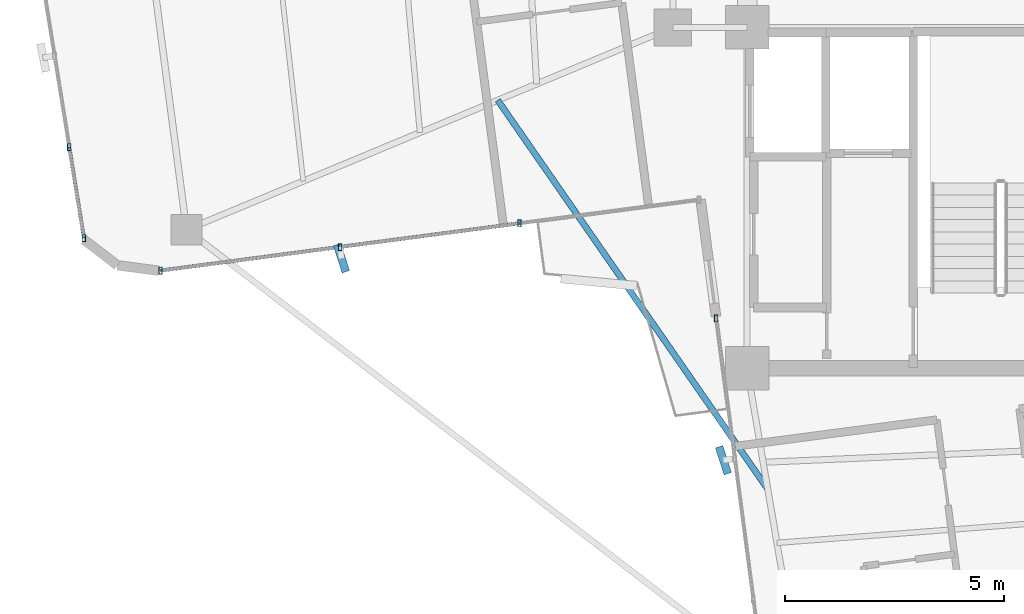
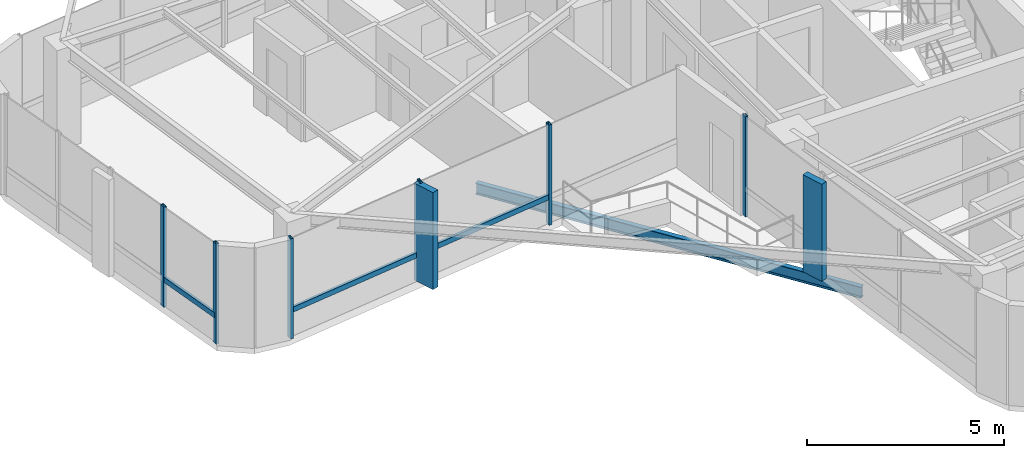
# One storey, part 2 of 21: 11 members, 1 beam, 3 elements without a shape of their own.
"""IFC4 building model written with IfcOpenShell, lengths in metres."""

import ifcopenshell
import ifcopenshell.guid

model = None  # the IFC model being written
_history = None  # IfcOwnerHistory: only IFC2X3 demands one
_inside = {}  # id of a spatial element -> (the spatial element, [elements in it])
_under = {}  # id of a project, library or spatial element -> (it, [spatial elements below it])
_declared = {}  # id of a project -> (the project, [libraries it declares])
_typed = {}  # id of a type object -> (the type object, [elements of that type])
_made_of = {}  # id of a material, layer set ... -> (it, [elements and type objects made of it])


def new_model(schema):
    """Start an empty IFC model of exactly this schema.

    Asked for "IFC4X3", IfcOpenShell would pick the latest addendum, in which some entities
    have other attributes; the version numbers below select the first issue.
    IFC2X3 requires an IfcOwnerHistory on every rooted entity: one is made here for all.
    """
    global model, _history
    if schema == "IFC4X3":
        model = ifcopenshell.file(schema_version=(4, 3, 0, 0))
    else:
        model = ifcopenshell.file(schema=schema)
    _inside.clear()
    _under.clear()
    _declared.clear()
    _typed.clear()
    _made_of.clear()
    _history = None
    if model.schema == "IFC2X3":
        org = make("IfcOrganization", Name="unknown")
        user = make(
            "IfcPersonAndOrganization",
            ThePerson=make("IfcPerson", FamilyName="unknown"),
            TheOrganization=org,
        )
        app = make(
            "IfcApplication",
            ApplicationDeveloper=org,
            Version="unknown",
            ApplicationFullName="unknown",
            ApplicationIdentifier="unknown",
        )
        _history = make(
            "IfcOwnerHistory",
            OwningUser=user,
            OwningApplication=app,
            ChangeAction="ADDED",
            CreationDate=0,
        )
    return model


def make(cls, **values):
    """One entity of the class cls with the attributes given. An attribute that is None is left unset."""
    return model.create_entity(
        cls, **{name: value for name, value in values.items() if value is not None}
    )


def rooted(cls, **values):
    """An entity with a GlobalId (a new one), such as an element, a storey or a relation."""
    return make(cls, GlobalId=ifcopenshell.guid.new(), OwnerHistory=_history, **values)


def si_unit(unit_type, name, prefix=None):
    """IfcSIUnit, for example si_unit("LENGTHUNIT", "METRE", prefix="MILLI")."""
    return make("IfcSIUnit", UnitType=unit_type, Prefix=prefix, Name=name)


def assignment(units):
    """IfcUnitAssignment: the units of a project."""
    return None if units is None else make("IfcUnitAssignment", Units=units)


def point(xyz):
    """IfcCartesianPoint."""
    return None if xyz is None else make("IfcCartesianPoint", Coordinates=xyz)


def direction(xyz):
    """IfcDirection."""
    return None if xyz is None else make("IfcDirection", DirectionRatios=xyz)


def frame(location, z_axis=None, x_axis=None):
    """IfcAxis2Placement3D, a coordinate frame: its origin and axes. An axis left out is left unset."""
    return make(
        "IfcAxis2Placement3D",
        Location=point(location),
        Axis=direction(z_axis),
        RefDirection=direction(x_axis),
    )


def frame_2d(location, x_axis=None):
    """IfcAxis2Placement2D, a coordinate frame in the plane: its origin and x axis."""
    return make(
        "IfcAxis2Placement2D", Location=point(location), RefDirection=direction(x_axis)
    )


def origin():
    """The frame at (0, 0, 0) with its axes left unset."""
    return frame((0.0, 0.0, 0.0))


def origin_2d():
    """The frame at (0, 0) in the plane with its x axis left unset."""
    return frame_2d((0.0, 0.0))


def place(relative_to, where):
    """IfcLocalPlacement: puts the frame where relative to a parent placement (None: the world)."""
    return make(
        "IfcLocalPlacement", PlacementRelTo=relative_to, RelativePlacement=where
    )


def context(
    kind, dimensions, precision=None, world=None, true_north=None, identifier=None
):
    """IfcGeometricRepresentationContext, for example the 3D "Model" context."""
    return make(
        "IfcGeometricRepresentationContext",
        ContextIdentifier=identifier,
        ContextType=kind,
        CoordinateSpaceDimension=dimensions,
        Precision=precision,
        WorldCoordinateSystem=world,
        TrueNorth=true_north,
    )


def subcontext(parent, identifier, kind, view, scale=None):
    """IfcGeometricRepresentationSubContext, for example "Body" below "Model"."""
    return make(
        "IfcGeometricRepresentationSubContext",
        ContextIdentifier=identifier,
        ContextType=kind,
        ParentContext=parent,
        TargetScale=scale,
        TargetView=view,
    )


def project(units=None, contexts=None):
    """IfcProject with its units and contexts."""
    return rooted(
        "IfcProject",
        Name="project",
        RepresentationContexts=contexts,
        UnitsInContext=assignment(units),
    )


def spatial(cls, under=None, at=None, **own):
    """A site, building, storey or space (cls), placed at a placement, below another one or the project."""
    s = rooted(cls, ObjectPlacement=at, **own)
    if under is not None:
        _under.setdefault(under.id(), (under, []))[1].append(s)
    return s


def profile(cls, at=None, kind="AREA", **sizes):
    """A parametric profile (cls). Its sizes go by their IFC names, for example OverallWidth=200.0."""
    return make(cls, ProfileType=kind, Position=at, **sizes)


def rectangle(**sizes):
    """IfcRectangleProfileDef."""
    return profile("IfcRectangleProfileDef", **sizes)


def hollow_rectangle(**sizes):
    """IfcRectangleHollowProfileDef."""
    return profile("IfcRectangleHollowProfileDef", **sizes)


def i_section(**sizes):
    """IfcIShapeProfileDef."""
    return profile("IfcIShapeProfileDef", **sizes)


def extrude(swept, where, along, depth):
    """IfcExtrudedAreaSolid: the profile swept, set in the frame where, extruded along a direction by depth."""
    return make(
        "IfcExtrudedAreaSolid",
        SweptArea=swept,
        Position=where,
        ExtrudedDirection=direction(along),
        Depth=depth,
    )


def shape(context_of_items, identifier, shape_type, items):
    """IfcShapeRepresentation: the items that make up one representation, for example the "Body"."""
    return make(
        "IfcShapeRepresentation",
        ContextOfItems=context_of_items,
        RepresentationIdentifier=identifier,
        RepresentationType=shape_type,
        Items=items,
    )


def source(mapping_origin, context_of_items, identifier, shape_type, items):
    """IfcRepresentationMap: a shape defined once, which mapped items show again and again."""
    return make(
        "IfcRepresentationMap",
        MappingOrigin=mapping_origin,
        MappedRepresentation=shape(context_of_items, identifier, shape_type, items),
    )


def transform(
    local_origin,
    x_axis=None,
    y_axis=None,
    z_axis=None,
    scale=None,
    scale2=None,
    scale3=None,
    uniform=True,
):
    """IfcCartesianTransformationOperator3D, or its non-uniform kind. x_axis, y_axis, z_axis: its Axis1, 2, 3."""
    if uniform:
        return make(
            "IfcCartesianTransformationOperator3D",
            Axis1=direction(x_axis),
            Axis2=direction(y_axis),
            LocalOrigin=point(local_origin),
            Scale=scale,
            Axis3=direction(z_axis),
        )
    return make(
        "IfcCartesianTransformationOperator3DnonUniform",
        Axis1=direction(x_axis),
        Axis2=direction(y_axis),
        LocalOrigin=point(local_origin),
        Scale=scale,
        Axis3=direction(z_axis),
        Scale2=scale2,
        Scale3=scale3,
    )


def mapped(mapping_source, mapping_target):
    """IfcMappedItem: shows the shape of a source again, moved by a transform."""
    return make(
        "IfcMappedItem", MappingSource=mapping_source, MappingTarget=mapping_target
    )


def material(Name=None, Category=None):
    """IfcMaterial."""
    return make("IfcMaterial", Name=Name, Category=Category)


def material_profile(
    of_material, cross_section, Name=None, Category=None, Priority=None
):
    """IfcMaterialProfile: a cross section and its material."""
    return make(
        "IfcMaterialProfile",
        Name=Name,
        Material=of_material,
        Profile=cross_section,
        Priority=Priority,
        Category=Category,
    )


def profile_set(profiles, Name=None, composite=None):
    """IfcMaterialProfileSet."""
    return make(
        "IfcMaterialProfileSet",
        Name=Name,
        MaterialProfiles=profiles,
        CompositeProfile=composite,
    )


def made_of(thing, what):
    """Note that an element or type object is made of a material, layer set ...; save() writes the relation."""
    if what is not None:
        _made_of.setdefault(what.id(), (what, []))[1].append(thing)
    return thing


def type_object(cls, material=None, **own):
    """A type object (cls), such as IfcWallType, which elements share."""
    return made_of(rooted(cls, **own), material)


def element(
    cls,
    number,
    at=None,
    inside=None,
    cuts=None,
    type_object=None,
    material=None,
    context=None,
    identifier="Body",
    shape_type=None,
    held_by="IfcProductDefinitionShape",
    body=None,
    shapes=None,
    **own,
):
    """One element of the class cls, such as IfcWall. Its Tag is "e" and its number.

    at: its placement. inside: the storey or other place that contains it. cuts: it is an
    opening in that element (IfcRelVoidsElement). A single representation is given by context,
    identifier, shape_type and body (its items); several are given by shapes. held_by: the class
    of the entity that holds the representations. save() writes the other relations.
    """
    e = rooted(cls, Tag="e%d" % number, ObjectPlacement=at, **own)
    if body is not None:
        shapes = [shape(context, identifier, shape_type, body)]
    if shapes is not None:
        e.Representation = make(held_by, Representations=shapes)
    if inside is not None:
        _inside.setdefault(inside.id(), (inside, []))[1].append(e)
    if cuts is not None:
        rooted(
            "IfcRelVoidsElement", RelatingBuildingElement=cuts, RelatedOpeningElement=e
        )
    if type_object is not None:
        _typed.setdefault(type_object.id(), (type_object, []))[1].append(e)
    return made_of(e, material)


def aggregate(whole, parts):
    """IfcRelAggregates: a whole, such as a stair, and the parts it consists of."""
    return rooted("IfcRelAggregates", RelatingObject=whole, RelatedObjects=parts)


def save(model, path):
    """Write the relations noted so far, then the file.

    IfcRelAggregates (storeys below a building ...), IfcRelContainedInSpatialStructure (elements
    in a storey), IfcRelDefinesByType, IfcRelAssociatesMaterial and IfcRelDeclares: one each for
    every whole, place, type object, material and project.
    """
    for whole, parts in _under.values():
        aggregate(whole, parts)
    for where, things in _inside.values():
        rooted(
            "IfcRelContainedInSpatialStructure",
            RelatedElements=things,
            RelatingStructure=where,
        )
    for kind, things in _typed.values():
        rooted("IfcRelDefinesByType", RelatedObjects=things, RelatingType=kind)
    for what, things in _made_of.values():
        rooted("IfcRelAssociatesMaterial", RelatedObjects=things, RelatingMaterial=what)
    for by, libraries in _declared.values():
        rooted("IfcRelDeclares", RelatingContext=by, RelatedDefinitions=libraries)
    model.write(path)


model = new_model("IFC4")

# Units and contexts
model_context = context("Model", 3, precision=1e-05, world=origin(), true_north=direction((0.0, 1.0)))
body_context = subcontext(model_context, "Body", "Model", "MODEL_VIEW")
ifc_project = project(units=[si_unit("LENGTHUNIT", "METRE"), si_unit("AREAUNIT", "SQUARE_METRE"), si_unit("VOLUMEUNIT", "CUBIC_METRE"), si_unit("PLANEANGLEUNIT", "RADIAN"), si_unit("MASSUNIT", "GRAM", prefix="KILO")], contexts=[model_context])

# Site, building, storey
site_placement = place(None, origin())
site = spatial("IfcSite", under=ifc_project, at=site_placement, CompositionType="ELEMENT")
building_placement = place(site_placement, origin())
building = spatial("IfcBuilding", under=site, at=building_placement, Name="Sahyath Konkavel Grand Hotel", CompositionType="ELEMENT")
storey_placement = place(building_placement, frame((0.0, 0.0, 216.550048828125)))
storey = spatial("IfcBuildingStorey", under=building, at=storey_placement, Name="L60", CompositionType="ELEMENT", Elevation=216.550048828125)

# Curtain wall, members
ifc_material_1 = material(Name="Anodised Bronze Aluminium & Low-E Glazing", Category="aluminium")
curtain_wall_type = type_object("IfcCurtainWallType", Name="CW-ZONE4", PredefinedType="NOTDEFINED", material=ifc_material_1)
curtain_wall_1_placement = place(storey_placement, origin())
curtain_wall_1 = element("IfcCurtainWall", 1, at=curtain_wall_1_placement, inside=storey, type_object=curtain_wall_type, Name="L60 Unitised Curtain Wall F20", PredefinedType="NOTDEFINED")
ifc_material_2 = material(Name="Anodised Bronze Aluminium", Category="aluminium")
ifc_material_profile_1 = material_profile(ifc_material_2, hollow_rectangle(XDim=0.080078125, YDim=0.159912109375, WallThickness=0.006103515625, at=origin_2d()), Name="RHS 160x80x6")
ifc_profile_set_1 = profile_set([ifc_material_profile_1], Name="Anodised Bronze Aluminium")
member_type_1 = type_object("IfcMemberType", Name="CW-MUL-160", PredefinedType="MULLION", material=ifc_profile_set_1)
shared_shape_1 = source(origin(), body_context, "Body", "SweptSolid", [
    extrude(hollow_rectangle(XDim=0.080078125, YDim=0.159912109375, WallThickness=0.006103515625, at=origin_2d()), origin(), (0.0, 0.0, 1.0), 3.10986328125),
])
member_1_placement = place(storey_placement, frame((-19.30908203125, -5.137939453125, 0.0), z_axis=(0.0, 0.0, 1.0), x_axis=(1.0, 0.0, 0.0)))
member_1 = element("IfcMember", 2, at=member_1_placement, type_object=member_type_1, Name="L60 Curtain Wall Mullion F20-3", PredefinedType="MULLION", context=body_context, shape_type="MappedRepresentation", body=[
    mapped(shared_shape_1, transform((0.0, 0.0, 0.0), scale=1.0)),
])
member_2_placement = place(storey_placement, frame((-18.972900390625, -7.22314453125, 0.0), z_axis=(0.0, 0.0, 1.0), x_axis=(1.0, 0.0, 0.0)))
member_2 = element("IfcMember", 3, at=member_2_placement, type_object=member_type_1, Name="L60 Curtain Wall Mullion F20-4", PredefinedType="MULLION", context=body_context, shape_type="MappedRepresentation", body=[
    mapped(shared_shape_1, transform((0.0, 0.0, 0.0), scale=1.0)),
])

curtain_wall_2_placement = place(storey_placement, origin())
curtain_wall_2 = element("IfcCurtainWall", 4, at=curtain_wall_2_placement, inside=storey, type_object=curtain_wall_type, Name="L60 Unitised Curtain Wall F23", PredefinedType="NOTDEFINED")
member_3_placement = place(storey_placement, frame((-17.217529296875, -7.965576171875, 0.0), z_axis=(0.0, 0.0, 1.0), x_axis=(1.0, 0.0, 0.0)))
member_3 = element("IfcMember", 5, at=member_3_placement, type_object=member_type_1, Name="L60 Curtain Wall Mullion F23-0", PredefinedType="MULLION", context=body_context, shape_type="MappedRepresentation", body=[
    mapped(shared_shape_1, transform((0.0, 0.0, 0.0), scale=1.0)),
])
member_4_placement = place(storey_placement, frame((-13.113037109375, -7.425048828125, 0.0), z_axis=(0.0, 0.0, 1.0), x_axis=(1.0, 0.0, 0.0)))
member_4 = element("IfcMember", 6, at=member_4_placement, type_object=member_type_1, Name="L60 Curtain Wall Mullion F23-1", PredefinedType="MULLION", context=body_context, shape_type="MappedRepresentation", body=[
    mapped(shared_shape_1, transform((0.0, 0.0, 0.0), scale=1.0)),
])
member_5_placement = place(storey_placement, frame((-9.008544921875, -6.884765625, 0.0), z_axis=(0.0, 0.0, 1.0), x_axis=(1.0, 0.0, 0.0)))
member_5 = element("IfcMember", 7, at=member_5_placement, type_object=member_type_1, Name="L60 Curtain Wall Mullion F23-2", PredefinedType="MULLION", context=body_context, shape_type="MappedRepresentation", body=[
    mapped(shared_shape_1, transform((0.0, 0.0, 0.0), scale=1.0)),
])

# Curtain wall, member
curtain_wall_3_placement = place(storey_placement, origin())
curtain_wall_3 = element("IfcCurtainWall", 8, at=curtain_wall_3_placement, inside=storey, type_object=curtain_wall_type, Name="L60 Unitised Curtain Wall F24", PredefinedType="NOTDEFINED")
member_6_placement = place(storey_placement, frame((-4.506591796875, -9.0556640625, 0.0), z_axis=(0.0, 0.0, 1.0), x_axis=(1.0, 0.0, 0.0)))
member_6 = element("IfcMember", 9, at=member_6_placement, type_object=member_type_1, Name="L60 Curtain Wall Mullion F24-0", PredefinedType="MULLION", context=body_context, shape_type="MappedRepresentation", body=[
    mapped(shared_shape_1, transform((0.0, 0.0, 0.0), scale=1.0)),
])

# Member
ifc_material_3 = material(Name="Warm Buff Sandstone Cladding on Concrete C50/60", Category="masonry")
ifc_material_profile_2 = material_profile(ifc_material_3, rectangle(XDim=0.179931640625, YDim=0.64990234375, at=origin_2d()), Name="FIN 180x650")
ifc_profile_set_2 = profile_set([ifc_material_profile_2], Name="Warm Buff Sandstone Cladding on Concrete C50/60")
member_type_2 = type_object("IfcMemberType", Name="FIN-SANDSTONE-650", PredefinedType="MULLION", material=ifc_profile_set_2)
shared_shape_2 = source(origin(), body_context, "Body", "SweptSolid", [
    extrude(rectangle(XDim=0.179931640625, YDim=0.64990234375, at=origin_2d()), origin(), (0.0, 0.0, 1.0), 3.010009765625),
])
member_7_placement = place(storey_placement, frame((-13.0791015625, -7.682861328125, 0.050048828125), z_axis=(0.0, 0.0, 1.0), x_axis=(0.951379596601, 0.308020881065, 0.0)))
member_7 = element("IfcMember", 10, at=member_7_placement, type_object=member_type_2, Name="L60 Sandstone Vertical Solar Fin FIN F23-1", PredefinedType="MULLION", context=body_context, shape_type="MappedRepresentation", body=[
    mapped(shared_shape_2, transform((0.0, 0.0, 0.0), scale=1.0)),
])

member_8_placement = place(storey_placement, frame((-4.341552734375, -12.302001953125, 0.050048828125), z_axis=(0.0, 0.0, 1.0), x_axis=(0.951379596601, 0.308020881065, 0.0)))
member_8 = element("IfcMember", 11, at=member_8_placement, type_object=member_type_2, Name="L60 Sandstone Vertical Solar Fin FIN F24-1", PredefinedType="MULLION", context=body_context, shape_type="MappedRepresentation", body=[
    mapped(shared_shape_2, transform((0.0, 0.0, 0.0), scale=1.0)),
])

aggregate(curtain_wall_3, [member_6, member_8])

ifc_material_profile_3 = material_profile(ifc_material_2, hollow_rectangle(XDim=0.080078125, YDim=0.159912109375, WallThickness=0.006103515625, at=origin_2d()), Name="RHS 160x80x6")
ifc_profile_set_3 = profile_set([ifc_material_profile_3], Name="Anodised Bronze Aluminium")
member_type_3 = type_object("IfcMemberType", Name="CW-TRN-160", PredefinedType="USERDEFINED", material=ifc_profile_set_3)
shared_shape_3 = source(origin(), body_context, "Body", "SweptSolid", [
    extrude(hollow_rectangle(XDim=0.080078125, YDim=0.159912109375, WallThickness=0.006103515625, at=origin_2d()), origin(), (0.0, 0.0, 1.0), 2.112060546875),
])
member_9_placement = place(storey_placement, frame((-19.30908203125, -5.137939453125, 0.849853515625), z_axis=(0.159167023612, -0.98725166933, 0.0), x_axis=(0.98725166933, 0.159167023612, 0.0)))
member_9 = element("IfcMember", 12, at=member_9_placement, type_object=member_type_3, Name="L60 Curtain Wall Transom F20-3-spandrel", ObjectType="TRANSOM", PredefinedType="USERDEFINED", context=body_context, shape_type="MappedRepresentation", body=[
    mapped(shared_shape_3, transform((0.0, 0.0, 0.0), scale=1.0)),
])

aggregate(curtain_wall_1, [member_1, member_2, member_9])

shared_shape_4 = source(origin(), body_context, "Body", "SweptSolid", [
    extrude(hollow_rectangle(XDim=0.080078125, YDim=0.159912109375, WallThickness=0.006103515625, at=origin_2d()), origin(), (0.0, 0.0, 1.0), 4.139892578125),
])
member_10_placement = place(storey_placement, frame((-17.217529296875, -7.965576171875, 0.849853515625), z_axis=(0.991439837467, 0.130564346904, 0.0), x_axis=(-0.130564346904, 0.991439837467, 0.0)))
member_10 = element("IfcMember", 13, at=member_10_placement, type_object=member_type_3, Name="L60 Curtain Wall Transom F23-0-spandrel", ObjectType="TRANSOM", PredefinedType="USERDEFINED", context=body_context, shape_type="MappedRepresentation", body=[
    mapped(shared_shape_4, transform((0.0, 0.0, 0.0), scale=1.0)),
])

member_11_placement = place(storey_placement, frame((-13.113037109375, -7.425048828125, 0.849853515625), z_axis=(0.991447469582, 0.130506379383, 0.0), x_axis=(-0.130506379383, 0.991447469582, 0.0)))
member_11 = element("IfcMember", 14, at=member_11_placement, type_object=member_type_3, Name="L60 Curtain Wall Transom F23-1-spandrel", ObjectType="TRANSOM", PredefinedType="USERDEFINED", context=body_context, shape_type="MappedRepresentation", body=[
    mapped(shared_shape_4, transform((0.0, 0.0, 0.0), scale=1.0)),
])

aggregate(curtain_wall_2, [member_3, member_4, member_7, member_5, member_10, member_11])

# Beam
ifc_material_4 = material(Name="Steel E350", Category="steel")
ifc_material_profile_4 = material_profile(ifc_material_4, i_section(OverallWidth=0.139892578125, OverallDepth=0.35009765625, WebThickness=0.008056640625, FlangeThickness=0.01416015625, FilletRadius=0.013916015625, at=origin_2d()), Name="ISMB 350")
ifc_profile_set_4 = profile_set([ifc_material_profile_4], Name="Steel E350")
beam_type = type_object("IfcBeamType", Name="BM-BALC-CANT", PredefinedType="BEAM", material=ifc_profile_set_4)
shared_shape_5 = source(origin(), body_context, "Body", "SweptSolid", [
    extrude(i_section(OverallWidth=0.139892578125, OverallDepth=0.35009765625, WebThickness=0.008056640625, FlangeThickness=0.01416015625, FilletRadius=0.013916015625, at=origin_2d()), origin(), (0.0, 0.0, 1.0), 10.831298828125),
])
beam_placement = place(storey_placement, frame((-9.5048828125, -4.06689453125, -0.4150390625), z_axis=(0.570310057725, -0.821429508879, 0.0), x_axis=(0.821429508879, 0.570310057725, 0.0)))
element("IfcBeam", 15, at=beam_placement, inside=storey, type_object=beam_type, Name="L60 Balcony Cantilever Support Beam SW", PredefinedType="BEAM", context=body_context, shape_type="MappedRepresentation", body=[
    mapped(shared_shape_5, transform((0.0, 0.0, 0.0), scale=1.0)),
])

save(model, "model.ifc")
